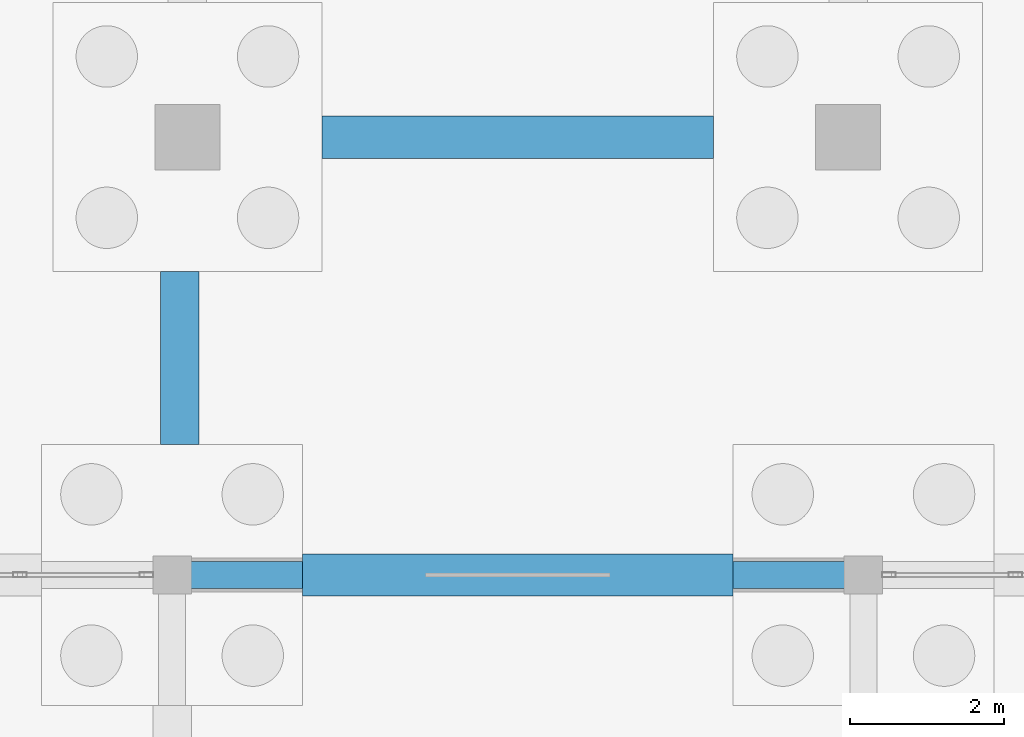
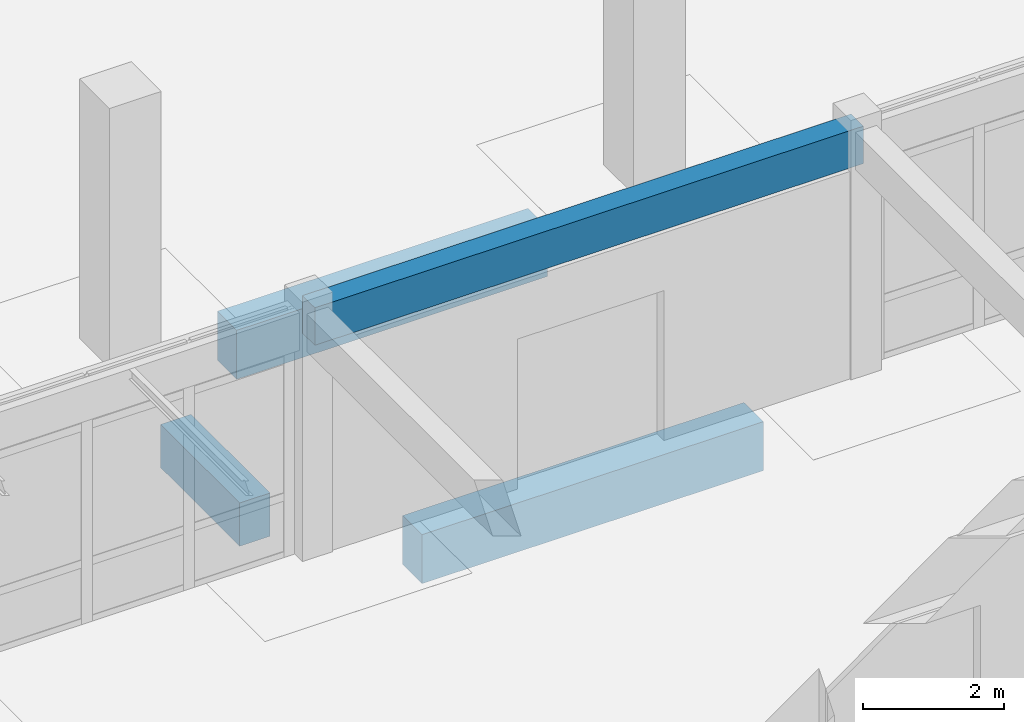
# One storey, part 109 of 186: 4 beams.
"""IFC4 building model written with IfcOpenShell, lengths in metres."""

from ifc_helpers import new_model, si_unit, direction, frame, origin, origin_2d, place, context, subcontext, project, spatial, rectangle, extrude, material, material_profile, profile_set, type_object, element, save


model = new_model("IFC4")

# Units and contexts
model_context = context("Model", 3, precision=1e-05, world=origin(), true_north=direction((0.0, 1.0)))
body_context = subcontext(model_context, "Body", "Model", "MODEL_VIEW")
ifc_project = project(units=[si_unit("LENGTHUNIT", "METRE"), si_unit("AREAUNIT", "SQUARE_METRE"), si_unit("VOLUMEUNIT", "CUBIC_METRE"), si_unit("PLANEANGLEUNIT", "RADIAN"), si_unit("MASSUNIT", "GRAM", prefix="KILO")], contexts=[model_context])

# Site, building, storey
site_placement = place(None, origin())
site = spatial("IfcSite", under=ifc_project, at=site_placement, CompositionType="ELEMENT")
building_placement = place(site_placement, origin())
building = spatial("IfcBuilding", under=site, at=building_placement, Name="Ornek Quay Market", CompositionType="ELEMENT")
storey_placement = place(building_placement, origin())
storey = spatial("IfcBuildingStorey", under=building, at=storey_placement, Name="L00", CompositionType="ELEMENT", Elevation=0.0)

# Beams
ifc_material = material(Name="Concrete C35/45", Category="concrete")
ifc_material_profile_1 = material_profile(ifc_material, rectangle(XDim=0.35009765625, YDim=0.64990234375, at=origin_2d()), Name="RC 350x650", Category="concrete")
ifc_profile_set_1 = profile_set([ifc_material_profile_1], Name="Concrete C35/45")
beam_type_1 = type_object("IfcBeamType", Name="BM-CONC-350x650", PredefinedType="BEAM", material=ifc_profile_set_1)
beam_1_placement = place(storey_placement, frame((135.0, 29.0, 3.945068359375), z_axis=(1.0, 0.0, 0.0), x_axis=(0.0, 1.0, 0.0)))
element("IfcBeam", 1, at=beam_1_placement, inside=storey, type_object=beam_type_1, Name="Primary beam B-CN1-091", PredefinedType="BEAM", context=body_context, shape_type="SweptSolid", body=[
    extrude(rectangle(XDim=0.35009765625, YDim=0.64990234375, at=origin_2d()), origin(), (0.0, 0.0, 1.0), 9.0),
])
ifc_material_profile_2 = material_profile(ifc_material, rectangle(XDim=0.5, YDim=0.75, at=origin_2d()), Name="RC 500x750", Category="concrete")
ifc_profile_set_2 = profile_set([ifc_material_profile_2], Name="Concrete C35/45")
beam_type_2 = type_object("IfcBeamType", Name="BM-GB-500x750", PredefinedType="BEAM", material=ifc_profile_set_2)
beam_2_placement = place(storey_placement, frame((135.10009765625, 30.699951171875, -0.574951171875), z_axis=(0.0, 1.0, 0.0), x_axis=(-1.0, 0.0, 0.0)))
element("IfcBeam", 2, at=beam_2_placement, inside=storey, type_object=beam_type_2, Name="Ground tie beam GB-367", PredefinedType="BEAM", context=body_context, shape_type="SweptSolid", body=[
    extrude(rectangle(XDim=0.5, YDim=0.75, at=origin_2d()), origin(), (0.0, 0.0, 1.0), 2.25),
])
ifc_material_profile_3 = material_profile(ifc_material, rectangle(XDim=0.550048828125, YDim=0.85009765625, at=origin_2d()), Name="RC 550x850", Category="concrete")
ifc_profile_set_3 = profile_set([ifc_material_profile_3], Name="Concrete C35/45")
beam_type_3 = type_object("IfcBeamType", Name="BM-GB-550x850", PredefinedType="BEAM", material=ifc_profile_set_3)
beam_3_placement = place(storey_placement, frame((136.699951171875, 29.0, -0.625), z_axis=(1.0, 0.0, 0.0), x_axis=(0.0, 1.0, 0.0)))
element("IfcBeam", 3, at=beam_3_placement, inside=storey, type_object=beam_type_3, Name="Ground tie beam GB-312", PredefinedType="BEAM", context=body_context, shape_type="SweptSolid", body=[
    extrude(rectangle(XDim=0.550048828125, YDim=0.85009765625, at=origin_2d()), origin(), (0.0, 0.0, 1.0), 5.60009765625),
])
beam_4_placement = place(storey_placement, frame((136.949951171875, 34.699951171875, -0.625), z_axis=(1.0, 0.0, 0.0), x_axis=(0.0, 1.0, 0.0)))
element("IfcBeam", 4, at=beam_4_placement, inside=storey, type_object=beam_type_3, Name="Ground tie beam GB-317", PredefinedType="BEAM", context=body_context, shape_type="SweptSolid", body=[
    extrude(rectangle(XDim=0.550048828125, YDim=0.85009765625, at=origin_2d()), origin(), (0.0, 0.0, 1.0), 5.10009765625),
])

save(model, "model.ifc")
